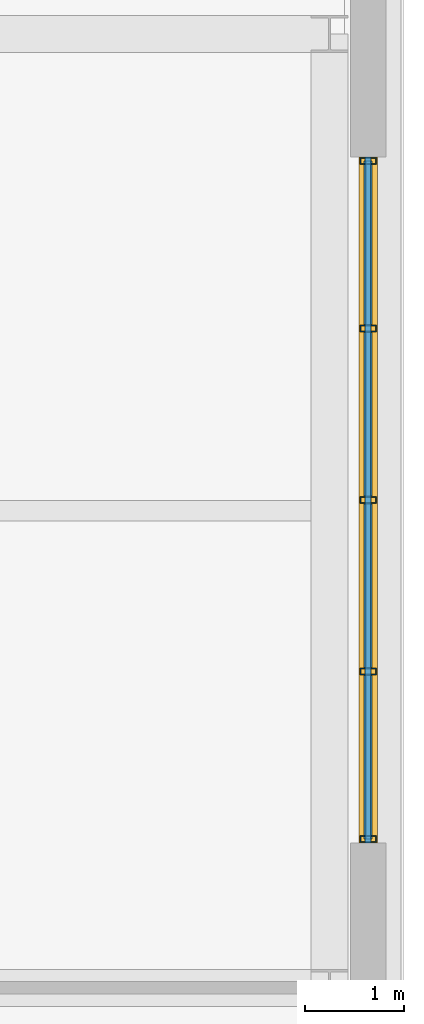
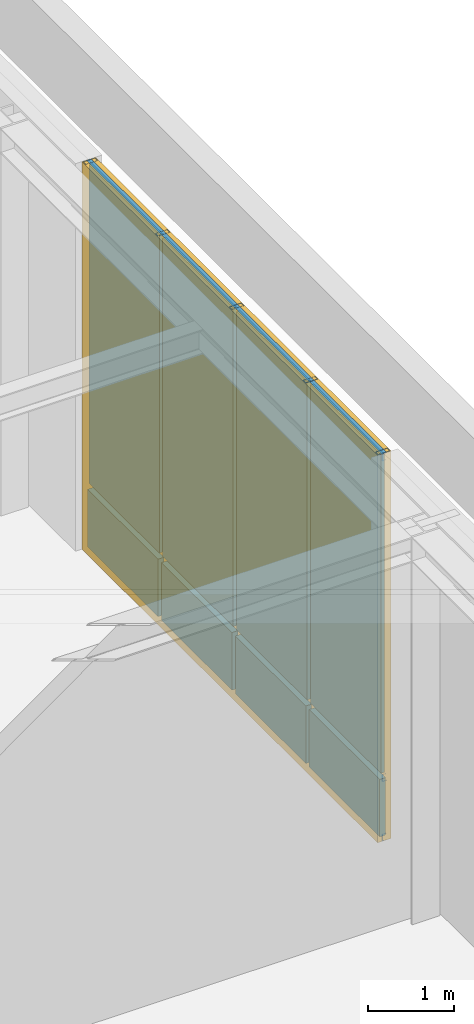
# One storey, part 11 of 17: 8 members, 8 plates, 1 curtain wall.
"""IFC4 building model written with IfcOpenShell, lengths in metres."""

from ifc_helpers import new_model, si_unit, direction, frame, frame_2d, origin, origin_2d, place, context, subcontext, project, spatial, rectangle, hollow_rectangle, extrude, material, layer, layer_set, material_profile, profile_set, type_object, element, aggregate, save


model = new_model("IFC4")

# Units and contexts
model_context = context("Model", 3, precision=1e-05, world=origin(), true_north=direction((0.0, 1.0)))
body_context = subcontext(model_context, "Body", "Model", "MODEL_VIEW")
ifc_project = project(units=[si_unit("LENGTHUNIT", "METRE"), si_unit("AREAUNIT", "SQUARE_METRE"), si_unit("VOLUMEUNIT", "CUBIC_METRE"), si_unit("PLANEANGLEUNIT", "RADIAN"), si_unit("MASSUNIT", "GRAM", prefix="KILO")], contexts=[model_context])

# Member
ifc_material_1 = material(Name="Anodized Aluminium 6063-T6", Category="aluminium")
ifc_material_profile_1 = material_profile(ifc_material_1, hollow_rectangle(XDim=0.06494140625, YDim=0.159912109375, WallThickness=0.00390625, at=origin_2d()), Name="Anodized Aluminium 6063-T6")
ifc_profile_set_1 = profile_set([ifc_material_profile_1], Name="Anodized Aluminium 6063-T6")
member_type_1 = type_object("IfcMemberType", Name="Curtain Wall Mullion 160", PredefinedType="MULLION", material=ifc_profile_set_1)
site_placement = place(None, origin())
building_placement = place(site_placement, origin())
storey_placement = place(building_placement, frame((0.0, 0.0, 308.0)))
member_1_placement = place(storey_placement, frame((47.639892578125, 20.699951171875, 0.0), z_axis=(0.0, 0.0, 1.0), x_axis=(0.0, 1.0, 0.0)))
member_1 = element("IfcMember", 1, at=member_1_placement, type_object=member_type_1, Name="Curtain Wall Mullion CW-L78-E04-2-M01", PredefinedType="MULLION", context=body_context, shape_type="SweptSolid", body=[
    extrude(hollow_rectangle(XDim=0.06494140625, YDim=0.159912109375, WallThickness=0.00390625, at=origin_2d()), origin(), (0.0, 0.0, 1.0), 5.52001953125),
])

member_2_placement = place(storey_placement, frame((47.639892578125, 22.385009765625, 0.0), z_axis=(0.0, 0.0, 1.0), x_axis=(0.0, 1.0, 0.0)))
member_2 = element("IfcMember", 2, at=member_2_placement, type_object=member_type_1, Name="Curtain Wall Mullion CW-L78-E04-2-M02", PredefinedType="MULLION", context=body_context, shape_type="SweptSolid", body=[
    extrude(hollow_rectangle(XDim=0.06494140625, YDim=0.159912109375, WallThickness=0.00390625, at=origin_2d()), origin(), (0.0, 0.0, 1.0), 5.52001953125),
])

member_3_placement = place(storey_placement, frame((47.639892578125, 24.110107421875, 0.0), z_axis=(0.0, 0.0, 1.0), x_axis=(0.0, 1.0, 0.0)))
member_3 = element("IfcMember", 3, at=member_3_placement, type_object=member_type_1, Name="Curtain Wall Mullion CW-L78-E04-2-M03", PredefinedType="MULLION", context=body_context, shape_type="SweptSolid", body=[
    extrude(hollow_rectangle(XDim=0.06494140625, YDim=0.159912109375, WallThickness=0.00390625, at=origin_2d()), origin(), (0.0, 0.0, 1.0), 5.52001953125),
])

member_4_placement = place(storey_placement, frame((47.639892578125, 25.8349609375, 0.0), z_axis=(0.0, 0.0, 1.0), x_axis=(0.0, 1.0, 0.0)))
member_4 = element("IfcMember", 4, at=member_4_placement, type_object=member_type_1, Name="Curtain Wall Mullion CW-L78-E04-2-M04", PredefinedType="MULLION", context=body_context, shape_type="SweptSolid", body=[
    extrude(hollow_rectangle(XDim=0.06494140625, YDim=0.159912109375, WallThickness=0.00390625, at=origin_2d()), origin(), (0.0, 0.0, 1.0), 5.52001953125),
])

member_5_placement = place(storey_placement, frame((47.639892578125, 27.52001953125, 0.0), z_axis=(0.0, 0.0, 1.0), x_axis=(0.0, 1.0, 0.0)))
member_5 = element("IfcMember", 5, at=member_5_placement, type_object=member_type_1, Name="Curtain Wall Mullion CW-L78-E04-2-M05", PredefinedType="MULLION", context=body_context, shape_type="SweptSolid", body=[
    extrude(hollow_rectangle(XDim=0.06494140625, YDim=0.159912109375, WallThickness=0.00390625, at=origin_2d()), origin(), (0.0, 0.0, 1.0), 5.52001953125),
])

ifc_material_profile_2 = material_profile(ifc_material_1, hollow_rectangle(XDim=0.06005859375, YDim=0.10009765625, WallThickness=0.0029296875, at=origin_2d()), Name="Anodized Aluminium 6063-T6")
ifc_profile_set_2 = profile_set([ifc_material_profile_2], Name="Anodized Aluminium 6063-T6")
member_type_2 = type_object("IfcMemberType", Name="Curtain Wall Transom 100", PredefinedType="USERDEFINED", material=ifc_profile_set_2)
member_6_placement = place(storey_placement, frame((47.639892578125, 20.659912109375, 0.050048828125), z_axis=(0.0, 1.0, 0.0), x_axis=(-1.0, 0.0, 0.0)))
member_6 = element("IfcMember", 6, at=member_6_placement, type_object=member_type_2, Name="Curtain Wall Transom CW-L78-E04-2-T01", ObjectType="TRANSOM", PredefinedType="USERDEFINED", context=body_context, shape_type="SweptSolid", body=[
    extrude(hollow_rectangle(XDim=0.06005859375, YDim=0.10009765625, WallThickness=0.0029296875, at=origin_2d()), origin(), (0.0, 0.0, 1.0), 6.900146484375),
])

member_7_placement = place(storey_placement, frame((47.639892578125, 20.659912109375, 0.89990234375), z_axis=(0.0, 1.0, 0.0), x_axis=(-1.0, 0.0, 0.0)))
member_7 = element("IfcMember", 7, at=member_7_placement, type_object=member_type_2, Name="Curtain Wall Transom CW-L78-E04-2-T02", ObjectType="TRANSOM", PredefinedType="USERDEFINED", context=body_context, shape_type="SweptSolid", body=[
    extrude(hollow_rectangle(XDim=0.06005859375, YDim=0.10009765625, WallThickness=0.0029296875, at=origin_2d()), origin(), (0.0, 0.0, 1.0), 6.900146484375),
])

member_8_placement = place(storey_placement, frame((47.639892578125, 20.659912109375, 5.469970703125), z_axis=(0.0, 1.0, 0.0), x_axis=(-1.0, 0.0, 0.0)))
member_8 = element("IfcMember", 8, at=member_8_placement, type_object=member_type_2, Name="Curtain Wall Transom CW-L78-E04-2-T03", ObjectType="TRANSOM", PredefinedType="USERDEFINED", context=body_context, shape_type="SweptSolid", body=[
    extrude(hollow_rectangle(XDim=0.06005859375, YDim=0.10009765625, WallThickness=0.0029296875, at=origin_2d()), origin(), (0.0, 0.0, 1.0), 6.900146484375),
])

# Plate
ifc_material_2 = material(Name="Triple Low-E Argon Glazing", Category="glass")
ifc_layer_1 = layer(ifc_material_2, 0.0439453125, Name="Triple Low-E Argon Glazing")
ifc_layer_set_1 = layer_set([ifc_layer_1], Name="Triple Low-E Argon Glazing")
plate_type_1 = type_object("IfcPlateType", Name="Plate CWGlazing 44", PredefinedType="CURTAIN_PANEL", material=ifc_layer_set_1)
plate_1_placement = place(storey_placement, frame((47.639892578125, 21.5224609375, 0.93994140625), z_axis=(0.0, 0.0, 1.0), x_axis=(0.0, 1.0, 0.0)))
plate_1 = element("IfcPlate", 9, at=plate_1_placement, type_object=plate_type_1, Name="Vision Glazing Panel CW-L78-E04-2-GL01", PredefinedType="CURTAIN_PANEL", context=body_context, shape_type="SweptSolid", body=[
    extrude(rectangle(XDim=1.64501953125, YDim=0.0439453125, at=origin_2d()), origin(), (0.0, 0.0, 1.0), 4.5400390625),
])

plate_2_placement = place(storey_placement, frame((47.639892578125, 23.24755859375, 0.93994140625), z_axis=(0.0, 0.0, 1.0), x_axis=(0.0, 1.0, 0.0)))
plate_2 = element("IfcPlate", 10, at=plate_2_placement, type_object=plate_type_1, Name="Vision Glazing Panel CW-L78-E04-2-GL02", PredefinedType="CURTAIN_PANEL", context=body_context, shape_type="SweptSolid", body=[
    extrude(rectangle(XDim=1.64501953125, YDim=0.0439453125, at=origin_2d()), origin(), (0.0, 0.0, 1.0), 4.5400390625),
])

plate_3_placement = place(storey_placement, frame((47.639892578125, 24.972412109375, 0.93994140625), z_axis=(0.0, 0.0, 1.0), x_axis=(0.0, 1.0, 0.0)))
plate_3 = element("IfcPlate", 11, at=plate_3_placement, type_object=plate_type_1, Name="Vision Glazing Panel CW-L78-E04-2-GL03", PredefinedType="CURTAIN_PANEL", context=body_context, shape_type="SweptSolid", body=[
    extrude(rectangle(XDim=1.64501953125, YDim=0.0439453125, at=origin_2d()), origin(), (0.0, 0.0, 1.0), 4.5400390625),
])

plate_4_placement = place(storey_placement, frame((47.639892578125, 26.697509765625, 0.93994140625), z_axis=(0.0, 0.0, 1.0), x_axis=(0.0, 1.0, 0.0)))
plate_4 = element("IfcPlate", 12, at=plate_4_placement, type_object=plate_type_1, Name="Vision Glazing Panel CW-L78-E04-2-GL04", PredefinedType="CURTAIN_PANEL", context=body_context, shape_type="SweptSolid", body=[
    extrude(rectangle(XDim=1.64501953125, YDim=0.0439453125, at=origin_2d()), origin(), (0.0, 0.0, 1.0), 4.5400390625),
])

ifc_material_3 = material(Name="Insulated Aluminium Spandrel Panel", Category="aluminium")
ifc_layer_2 = layer(ifc_material_3, 0.080078125, Name="Insulated Aluminium Spandrel Panel")
ifc_layer_set_2 = layer_set([ifc_layer_2], Name="Insulated Aluminium Spandrel Panel")
plate_type_2 = type_object("IfcPlateType", Name="Plate CWSpandrel 80", PredefinedType="SHEET", material=ifc_layer_set_2)
plate_5_placement = place(storey_placement, frame((47.639892578125, 21.5224609375, 0.0400390625), z_axis=(0.0, 0.0, 1.0), x_axis=(0.0, 1.0, 0.0)))
plate_5 = element("IfcPlate", 13, at=plate_5_placement, type_object=plate_type_2, Name="Spandrel Panel CW-L78-E04-2-SP01", PredefinedType="SHEET", context=body_context, shape_type="SweptSolid", body=[
    extrude(rectangle(XDim=1.64501953125, YDim=0.080078125, at=origin_2d()), origin(), (0.0, 0.0, 1.0), 0.820068359375),
])

plate_6_placement = place(storey_placement, frame((47.639892578125, 23.24755859375, 0.0400390625), z_axis=(0.0, 0.0, 1.0), x_axis=(0.0, 1.0, 0.0)))
plate_6 = element("IfcPlate", 14, at=plate_6_placement, type_object=plate_type_2, Name="Spandrel Panel CW-L78-E04-2-SP02", PredefinedType="SHEET", context=body_context, shape_type="SweptSolid", body=[
    extrude(rectangle(XDim=1.64501953125, YDim=0.080078125, at=origin_2d()), origin(), (0.0, 0.0, 1.0), 0.820068359375),
])

plate_7_placement = place(storey_placement, frame((47.639892578125, 24.972412109375, 0.0400390625), z_axis=(0.0, 0.0, 1.0), x_axis=(0.0, 1.0, 0.0)))
plate_7 = element("IfcPlate", 15, at=plate_7_placement, type_object=plate_type_2, Name="Spandrel Panel CW-L78-E04-2-SP03", PredefinedType="SHEET", context=body_context, shape_type="SweptSolid", body=[
    extrude(rectangle(XDim=1.64501953125, YDim=0.080078125, at=origin_2d()), origin(), (0.0, 0.0, 1.0), 0.820068359375),
])

plate_8_placement = place(storey_placement, frame((47.639892578125, 26.697509765625, 0.0400390625), z_axis=(0.0, 0.0, 1.0), x_axis=(0.0, 1.0, 0.0)))
plate_8 = element("IfcPlate", 16, at=plate_8_placement, type_object=plate_type_2, Name="Spandrel Panel CW-L78-E04-2-SP04", PredefinedType="SHEET", context=body_context, shape_type="SweptSolid", body=[
    extrude(rectangle(XDim=1.64501953125, YDim=0.080078125, at=origin_2d()), origin(), (0.0, 0.0, 1.0), 0.820068359375),
])

# Site, building, storey
site = spatial("IfcSite", under=ifc_project, at=site_placement, CompositionType="ELEMENT")
building = spatial("IfcBuilding", under=site, at=building_placement, Name="Norrvale University Quadrangle", CompositionType="ELEMENT")
storey = spatial("IfcBuildingStorey", under=building, at=storey_placement, Name="L78", CompositionType="ELEMENT", Elevation=308.0)

# Curtain wall
ifc_material_4 = material(Name="Anodized Aluminium and Triple Glazing", Category="glass")
curtain_wall_type = type_object("IfcCurtainWallType", Name="Curtain Wall System 6 Pool Crown", PredefinedType="NOTDEFINED", material=ifc_material_4)
curtain_wall_placement = place(storey_placement, frame((47.639892578125, 20.659912109375, 0.0), z_axis=(0.0, 0.0, 1.0), x_axis=(0.0, 1.0, 0.0)))
curtain_wall = element("IfcCurtainWall", 17, at=curtain_wall_placement, inside=storey, type_object=curtain_wall_type, Name="Curtain Wall CW System 6 Pool Crown CW-L78-E04-2", PredefinedType="NOTDEFINED", context=body_context, shape_type="SweptSolid", body=[
    extrude(rectangle(XDim=6.900146484375, YDim=0.18505859375, at=frame_2d((3.4501953125, 0.0))), origin(), (0.0, 0.0, 1.0), 5.52001953125),
])

aggregate(curtain_wall, [member_1, member_2, member_3, member_4, member_5, member_6, member_7, member_8, plate_5, plate_1, plate_6, plate_2, plate_7, plate_3, plate_8, plate_4])

save(model, "model.ifc")
